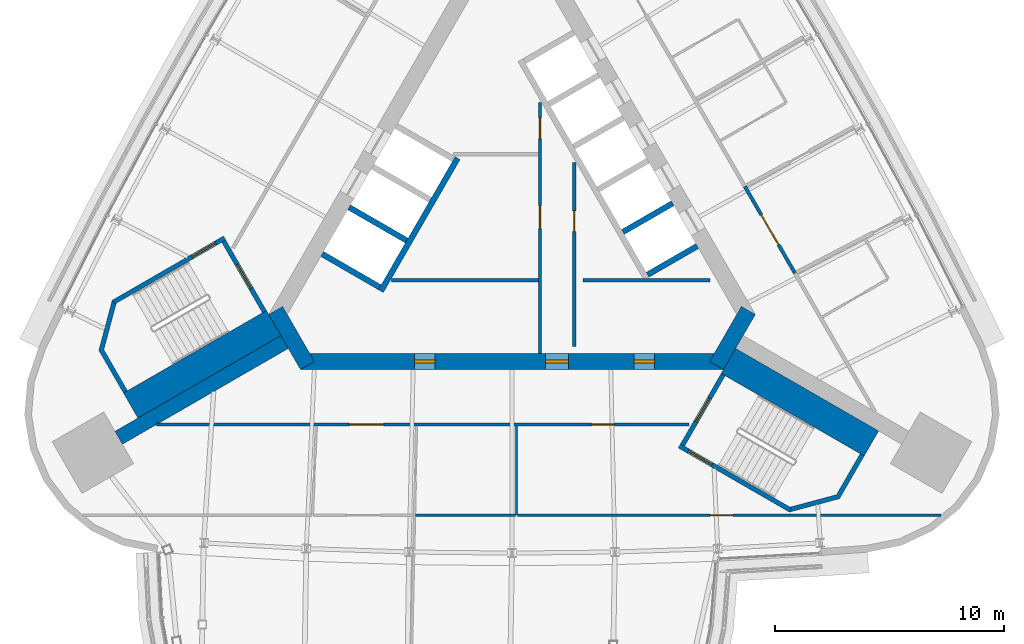
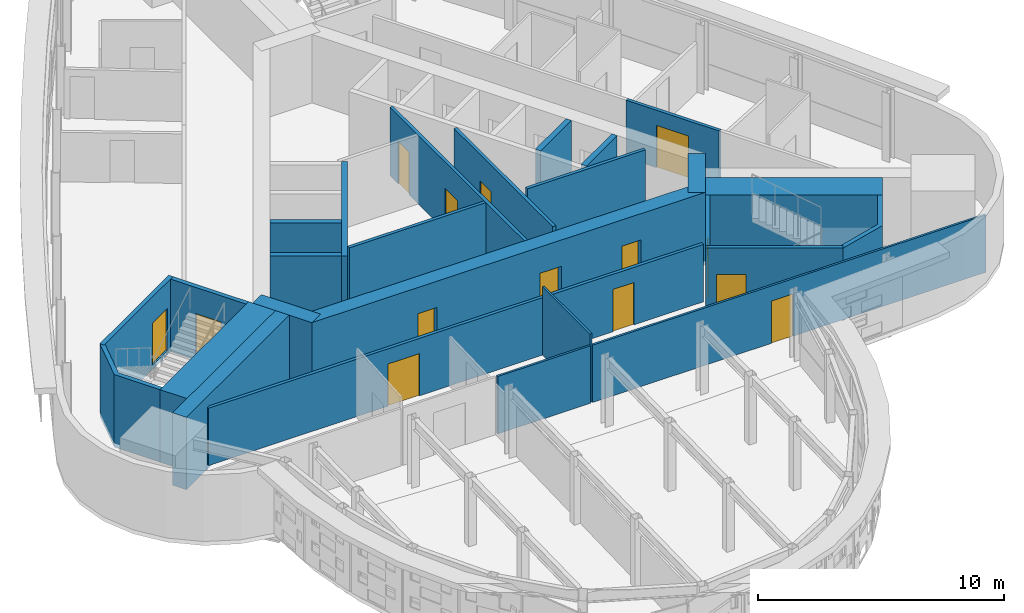
# One storey, part 10 of 15: 26 walls, 14 doors, 14 openings.
"""IFC4 building model written with IfcOpenShell, lengths in metres."""

from ifc_helpers import new_model, si_unit, direction, frame, frame_2d, origin, place, context, subcontext, project, spatial, polyline, rectangle, outline, extrude, material, layer, layer_set, type_object, element, fill, save


model = new_model("IFC4")

# Units and contexts
model_context = context("Model", 3, precision=1e-05, world=origin(), true_north=direction((0.0, 1.0)))
body_context = subcontext(model_context, "Body", "Model", "MODEL_VIEW")
ifc_project = project(units=[si_unit("LENGTHUNIT", "METRE"), si_unit("AREAUNIT", "SQUARE_METRE"), si_unit("VOLUMEUNIT", "CUBIC_METRE"), si_unit("PLANEANGLEUNIT", "RADIAN"), si_unit("MASSUNIT", "GRAM", prefix="KILO")], contexts=[model_context])

# Site, building, storey
site_placement = place(None, origin())
site = spatial("IfcSite", under=ifc_project, at=site_placement, CompositionType="ELEMENT")
building_placement = place(site_placement, origin())
building = spatial("IfcBuilding", under=site, at=building_placement, Name="Noor Cloister Tower", CompositionType="ELEMENT")
storey_placement = place(building_placement, frame((0.0, 0.0, 225.60009765625)))
storey = spatial("IfcBuildingStorey", under=building, at=storey_placement, Name="L58", CompositionType="ELEMENT", Elevation=225.60009765625)

# Walls
ifc_material_1 = material(Name="Concrete C60/75", Category="concrete")
ifc_layer_1 = layer(ifc_material_1, 0.64990234375)
ifc_layer_set_1 = layer_set([ifc_layer_1], Name="Buttress wall 650 C60/75")
wall_type_1 = type_object("IfcWallType", Name="Buttress wall 650 C60/75", PredefinedType="SHEAR", material=ifc_layer_set_1)
wall_1_placement = place(storey_placement, frame((-9.921630859375, -5.728271484375, -0.2001953125), z_axis=(0.0, 0.0, 1.0), x_axis=(-0.866030911543, -0.499990460161, 0.0)))
element("IfcWall", 1, at=wall_1_placement, inside=storey, type_object=wall_type_1, Name="Buttress wall SW L58", PredefinedType="SHEAR", context=body_context, shape_type="SweptSolid", body=[
    extrude(rectangle(XDim=8.358642578125, YDim=0.64990234375, at=frame_2d((4.17919921875, 0.0))), origin(), (0.0, 0.0, 1.0), 3.60009765625),
])
ifc_material_2 = material(Name="Concrete C30/37", Category="concrete")
ifc_layer_2 = layer(ifc_material_2, 0.14990234375)
ifc_layer_set_2 = layer_set([ifc_layer_2], Name="Core partition 150 C30/37")
wall_type_2 = type_object("IfcWallType", Name="Core partition 150 C30/37", PredefinedType="PARTITIONING", material=ifc_layer_set_2)
wall_2_placement = place(storey_placement, frame((-5.2578125, -3.0283203125, 0.0), z_axis=(0.0, 0.0, 1.0), x_axis=(1.0, 0.0, 0.0)))
element("IfcWall", 2, at=wall_2_placement, inside=storey, type_object=wall_type_2, Name="Core room partition L58 1", PredefinedType="PARTITIONING", context=body_context, shape_type="SweptSolid", body=[
    extrude(rectangle(XDim=6.404052734375, YDim=0.14990234375, at=frame_2d((3.2021484375, 0.0))), origin(), (0.0, 0.0, 1.0), 3.39990234375),
])

# Wall, openings, doors
wall_3_placement = place(storey_placement, frame((1.22119140625, 4.711181640625, 0.0), z_axis=(0.0, 0.0, 1.0), x_axis=(0.0, -1.0, 0.0)))
wall_3 = element("IfcWall", 3, at=wall_3_placement, inside=storey, type_object=wall_type_2, Name="Core room partition L58 3", PredefinedType="PARTITIONING", context=body_context, shape_type="SweptSolid", body=[
    extrude(rectangle(XDim=10.939453125, YDim=0.14990234375, at=frame_2d((5.4697265625, 0.0))), origin(), (0.0, 0.0, 1.0), 3.39990234375),
])
opening_1_placement = place(wall_3_placement, frame((4.4892578125, 0.0, 0.0)))
opening_1 = element("IfcOpeningElement", 4, at=opening_1_placement, cuts=wall_3, Name="Opening L58-904", PredefinedType="OPENING", context=body_context, shape_type="SweptSolid", body=[
    extrude(rectangle(XDim=1.0, YDim=2.10009765625, at=frame_2d((0.5, 1.050048828125))), frame((0.0, 0.0849609375, 0.0), z_axis=(0.0, -1.0, 0.0), x_axis=(1.0, 0.0, 0.0)), (0.0, 0.0, 1.0), 0.169921875),
])
opening_2_placement = place(wall_3_placement, frame((0.670654296875, 0.0, 0.0)))
opening_2 = element("IfcOpeningElement", 5, at=opening_2_placement, cuts=wall_3, Name="Opening L58-906", PredefinedType="OPENING", context=body_context, shape_type="SweptSolid", body=[
    extrude(rectangle(XDim=0.89990234375, YDim=2.10009765625, at=frame_2d((0.449951171875, 1.050048828125))), frame((0.0, 0.0849609375, 0.0), z_axis=(0.0, -1.0, 0.0), x_axis=(1.0, 0.0, 0.0)), (0.0, 0.0, 1.0), 0.169921875),
])
ifc_material_3 = material(Name="Steel", Category="steel")
door_type_1 = type_object("IfcDoorType", Name="Core door 1000 x 2100 FD60", OperationType="SINGLE_SWING_LEFT", PredefinedType="DOOR", material=ifc_material_3)
door_1_placement = place(opening_1_placement, origin())
door_1 = element("IfcDoor", 6, at=door_1_placement, inside=storey, type_object=door_type_1, Name="Core door 4 L58", OperationType="SINGLE_SWING_RIGHT", OverallHeight=2.10009765625, OverallWidth=1.0, PredefinedType="DOOR", context=body_context, shape_type="SweptSolid", body=[
    extrude(rectangle(XDim=1.0, YDim=2.10009765625, at=frame_2d((0.5, 1.050048828125))), frame((0.0, 0.02490234375, 0.0), z_axis=(0.0, -1.0, 0.0), x_axis=(1.0, 0.0, 0.0)), (0.0, 0.0, 1.0), 0.050048828125),
])
fill(opening_1, door_1)
ifc_material_4 = material(Name="Steel", Category="steel")
door_type_2 = type_object("IfcDoorType", Name="Core door 900 x 2100 FD120", OperationType="SINGLE_SWING_LEFT", PredefinedType="DOOR", material=ifc_material_4)
door_2_placement = place(opening_2_placement, origin())
door_2 = element("IfcDoor", 7, at=door_2_placement, inside=storey, type_object=door_type_2, Name="Core door 6 L58", OperationType="SINGLE_SWING_RIGHT", OverallHeight=2.10009765625, OverallWidth=0.89990234375, PredefinedType="DOOR", context=body_context, shape_type="SweptSolid", body=[
    extrude(rectangle(XDim=0.89990234375, YDim=2.10009765625, at=frame_2d((0.449951171875, 1.050048828125))), frame((0.0, 0.02490234375, 0.0), z_axis=(0.0, -1.0, 0.0), x_axis=(1.0, 0.0, 0.0)), (0.0, 0.0, 1.0), 0.050048828125),
])
fill(opening_2, door_2)

# Wall, opening, door
wall_4_placement = place(storey_placement, frame((2.72119140625, -5.92822265625, 0.0), z_axis=(0.0, 0.0, 1.0), x_axis=(0.0, 1.0, 0.0)))
wall_4 = element("IfcWall", 8, at=wall_4_placement, inside=storey, type_object=wall_type_2, Name="Core room partition L58 4", PredefinedType="PARTITIONING", context=body_context, shape_type="SweptSolid", body=[
    extrude(rectangle(XDim=8.041259765625, YDim=0.14990234375, at=frame_2d((4.0205078125, 0.0))), origin(), (0.0, 0.0, 1.0), 3.39990234375),
])
opening_3_placement = place(wall_4_placement, frame((5.01953125, 0.0, 0.0)))
opening_3 = element("IfcOpeningElement", 9, at=opening_3_placement, cuts=wall_4, Name="Opening L58-905", PredefinedType="OPENING", context=body_context, shape_type="SweptSolid", body=[
    extrude(rectangle(XDim=0.89990234375, YDim=2.10009765625, at=frame_2d((0.449951171875, 1.050048828125))), frame((0.0, 0.0849609375, 0.0), z_axis=(0.0, -1.0, 0.0), x_axis=(1.0, 0.0, 0.0)), (0.0, 0.0, 1.0), 0.169921875),
])
ifc_material_5 = material(Name="Steel", Category="steel")
door_type_3 = type_object("IfcDoorType", Name="Core door 900 x 2100 FD60", OperationType="SINGLE_SWING_LEFT", PredefinedType="DOOR", material=ifc_material_5)
door_3_placement = place(opening_3_placement, origin())
door_3 = element("IfcDoor", 10, at=door_3_placement, inside=storey, type_object=door_type_3, Name="Core door 5 L58", OperationType="SINGLE_SWING_LEFT", OverallHeight=2.10009765625, OverallWidth=0.89990234375, PredefinedType="DOOR", context=body_context, shape_type="SweptSolid", body=[
    extrude(rectangle(XDim=0.89990234375, YDim=2.10009765625, at=frame_2d((0.449951171875, 1.050048828125))), frame((0.0, 0.02490234375, 0.0), z_axis=(0.0, -1.0, 0.0), x_axis=(1.0, 0.0, 0.0)), (0.0, 0.0, 1.0), 0.050048828125),
])
fill(opening_3, door_3)

# Wall
wall_5_placement = place(storey_placement, frame((3.09619140625, -3.0283203125, 0.0), z_axis=(0.0, 0.0, 1.0), x_axis=(1.0, 0.0, 0.0)))
element("IfcWall", 11, at=wall_5_placement, inside=storey, type_object=wall_type_2, Name="Core room partition L58 5", PredefinedType="PARTITIONING", context=body_context, shape_type="SweptSolid", body=[
    extrude(rectangle(XDim=5.543701171875, YDim=0.14990234375, at=frame_2d((2.77197265625, 0.0))), origin(), (0.0, 0.0, 1.0), 3.39990234375),
])

# Wall, openings, doors
ifc_material_6 = material(Name="Concrete C60/75", Category="concrete")
ifc_layer_3 = layer(ifc_material_6, 0.699951171875)
ifc_layer_set_3 = layer_set([ifc_layer_3], Name="Core wall 700 C60/75")
wall_type_3 = type_object("IfcWallType", Name="Core wall 700 C60/75", PredefinedType="SHEAR", material=ifc_layer_set_3)
wall_6_placement = place(storey_placement, frame((-9.228759765625, -6.578125, -0.2001953125), z_axis=(0.0, 0.0, 1.0), x_axis=(1.0, 0.0, 0.0)))
wall_6 = element("IfcWall", 12, at=wall_6_placement, inside=storey, type_object=wall_type_3, Name="Core wall L58 1", PredefinedType="SHEAR", context=body_context, shape_type="SweptSolid", body=[
    extrude(rectangle(XDim=18.45751953125, YDim=0.699951171875, at=frame_2d((9.228759765625, 0.0))), origin(), (0.0, 0.0, 1.0), 3.60009765625),
])
opening_4_placement = place(wall_6_placement, frame((10.699951171875, 0.0, 0.199951171875)))
opening_4 = element("IfcOpeningElement", 13, at=opening_4_placement, cuts=wall_6, Name="Opening L58-901", PredefinedType="OPENING", context=body_context, shape_type="SweptSolid", body=[
    extrude(rectangle(XDim=1.0, YDim=2.10009765625, at=frame_2d((0.5, 1.050048828125))), frame((0.0, 0.35986328125, 0.0), z_axis=(0.0, -1.0, 0.0), x_axis=(1.0, 0.0, 0.0)), (0.0, 0.0, 1.0), 0.719970703125),
])
opening_5_placement = place(wall_6_placement, frame((4.97705078125, 0.0, 0.199951171875)))
opening_5 = element("IfcOpeningElement", 14, at=opening_5_placement, cuts=wall_6, Name="Opening L58-902", PredefinedType="OPENING", context=body_context, shape_type="SweptSolid", body=[
    extrude(rectangle(XDim=0.89990234375, YDim=2.10009765625, at=frame_2d((0.449951171875, 1.050048828125))), frame((0.0, 0.35986328125, 0.0), z_axis=(0.0, -1.0, 0.0), x_axis=(1.0, 0.0, 0.0)), (0.0, 0.0, 1.0), 0.719970703125),
])
opening_6_placement = place(wall_6_placement, frame((14.551513671875, 0.0, 0.199951171875)))
opening_6 = element("IfcOpeningElement", 15, at=opening_6_placement, cuts=wall_6, Name="Opening L58-903", PredefinedType="OPENING", context=body_context, shape_type="SweptSolid", body=[
    extrude(rectangle(XDim=0.89990234375, YDim=2.10009765625, at=frame_2d((0.449951171875, 1.050048828125))), frame((0.0, 0.35986328125, 0.0), z_axis=(0.0, -1.0, 0.0), x_axis=(1.0, 0.0, 0.0)), (0.0, 0.0, 1.0), 0.719970703125),
])
ifc_material_7 = material(Name="Steel", Category="steel")
door_type_4 = type_object("IfcDoorType", Name="Core door 1000 x 2100 FD120", OperationType="SINGLE_SWING_LEFT", PredefinedType="DOOR", material=ifc_material_7)
door_4_placement = place(opening_4_placement, origin())
door_4 = element("IfcDoor", 16, at=door_4_placement, inside=storey, type_object=door_type_4, Name="Core door 1 L58", OperationType="SINGLE_SWING_LEFT", OverallHeight=2.10009765625, OverallWidth=1.0, PredefinedType="DOOR", context=body_context, shape_type="SweptSolid", body=[
    extrude(rectangle(XDim=1.0, YDim=2.10009765625, at=frame_2d((0.5, 1.050048828125))), frame((0.0, 0.074951171875, 0.0), z_axis=(0.0, -1.0, 0.0), x_axis=(1.0, 0.0, 0.0)), (0.0, 0.0, 1.0), 0.14990234375),
])
fill(opening_4, door_4)
door_5_placement = place(opening_5_placement, origin())
door_5 = element("IfcDoor", 17, at=door_5_placement, inside=storey, type_object=door_type_2, Name="Core door 2 L58", OperationType="SINGLE_SWING_RIGHT", OverallHeight=2.10009765625, OverallWidth=0.89990234375, PredefinedType="DOOR", context=body_context, shape_type="SweptSolid", body=[
    extrude(rectangle(XDim=0.89990234375, YDim=2.10009765625, at=frame_2d((0.449951171875, 1.050048828125))), frame((0.0, 0.074951171875, 0.0), z_axis=(0.0, -1.0, 0.0), x_axis=(1.0, 0.0, 0.0)), (0.0, 0.0, 1.0), 0.14990234375),
])
fill(opening_5, door_5)
door_6_placement = place(opening_6_placement, origin())
door_6 = element("IfcDoor", 18, at=door_6_placement, inside=storey, type_object=door_type_2, Name="Core door 3 L58", OperationType="SINGLE_SWING_LEFT", OverallHeight=2.10009765625, OverallWidth=0.89990234375, PredefinedType="DOOR", context=body_context, shape_type="SweptSolid", body=[
    extrude(rectangle(XDim=0.89990234375, YDim=2.10009765625, at=frame_2d((0.449951171875, 1.050048828125))), frame((0.0, 0.074951171875, 0.0), z_axis=(0.0, -1.0, 0.0), x_axis=(1.0, 0.0, 0.0)), (0.0, 0.0, 1.0), 0.14990234375),
])
fill(opening_6, door_6)

# Walls
for number, where, z_axis, x_axis, name in (
    (19, (8.925537109375, -6.753173828125, -0.2001953125), (0.0, 0.0, 1.0), (0.500042739161, 0.866000726912, 0.0), "Core wall L58 2"),
    (20, (-10.311279296875, -4.353271484375, -0.2001953125), (0.0, 0.0, 1.0), (0.500042739161, -0.866000726912, 0.0), "Core wall L58 6"),
):
    element("IfcWall", number, at=place(storey_placement, frame(where, z_axis=z_axis, x_axis=x_axis)), inside=storey, type_object=wall_type_3, Name=name, PredefinedType="SHEAR", context=body_context, shape_type="SweptSolid", body=[
        extrude(rectangle(XDim=2.771240234375, YDim=0.699951171875, at=frame_2d((1.3857421875, 0.0))), origin(), (0.0, 0.0, 1.0), 3.60009765625),
    ])

# Wall, opening, door
ifc_material_8 = material(Name="Gypsum board partition on steel studs, 150 mm", Category="steel")
ifc_layer_4 = layer(ifc_material_8, 0.14990234375)
ifc_layer_set_4 = layer_set([ifc_layer_4], Name="Flat wall 150")
wall_type_4 = type_object("IfcWallType", Name="Flat wall 150", PredefinedType="PARTITIONING", material=ifc_layer_set_4)
wall_7_placement = place(storey_placement, frame((12.3447265625, -2.725341796875, 0.0), z_axis=(0.0, 0.0, 1.0), x_axis=(-0.49999822179, 0.866026430432, 0.0)))
wall_7 = element("IfcWall", 21, at=wall_7_placement, inside=storey, type_object=wall_type_4, Name="Wall L58-W05", PredefinedType="PARTITIONING", context=body_context, shape_type="SweptSolid", body=[
    extrude(rectangle(XDim=4.3681640625, YDim=0.14990234375, at=frame_2d((2.18408203125, 0.0))), origin(), (0.0, 0.0, 1.0), 2.851806640625),
])
opening_7_placement = place(wall_7_placement, frame((1.434326171875, 0.0, 0.0)))
opening_7 = element("IfcOpeningElement", 22, at=opening_7_placement, cuts=wall_7, Name="Opening L58-001", PredefinedType="OPENING", context=body_context, shape_type="SweptSolid", body=[
    extrude(rectangle(XDim=1.5, YDim=2.10009765625, at=frame_2d((0.75, 1.050048828125))), frame((0.0, 0.0849609375, 0.0), z_axis=(0.0, -1.0, 0.0), x_axis=(1.0, 0.0, 0.0)), (0.0, 0.0, 1.0), 0.169921875),
])
ifc_material_9 = material(Name="Timber door leaf with steel frame", Category="steel")
door_type_5 = type_object("IfcDoorType", Name="Double door 1500 FD60", OperationType="NOTDEFINED", PredefinedType="DOOR", material=ifc_material_9)
door_7_placement = place(opening_7_placement, origin())
door_7 = element("IfcDoor", 23, at=door_7_placement, inside=storey, type_object=door_type_5, Name="Door L58-001", OperationType="DOUBLE_DOOR_SINGLE_SWING", OverallHeight=2.10009765625, OverallWidth=1.5, PredefinedType="DOOR", context=body_context, shape_type="SweptSolid", body=[
    extrude(rectangle(XDim=1.5, YDim=2.10009765625, at=frame_2d((0.75, 1.050048828125))), frame((0.0, 0.02490234375, 0.0), z_axis=(0.0, -1.0, 0.0), x_axis=(1.0, 0.0, 0.0)), (0.0, 0.0, 1.0), 0.050048828125),
])
fill(opening_7, door_7)

# Wall, openings, doors
wall_8_placement = place(storey_placement, frame((-15.5068359375, -9.328125, 0.0), z_axis=(0.0, 0.0, 1.0), x_axis=(1.0, 0.0, 0.0)))
wall_8 = element("IfcWall", 24, at=wall_8_placement, inside=storey, type_object=wall_type_4, Name="Wall L58-W13", PredefinedType="PARTITIONING", context=body_context, shape_type="SweptSolid", body=[
    extrude(rectangle(XDim=23.234375, YDim=0.14990234375, at=frame_2d((11.6171875, 0.0))), origin(), (0.0, 0.0, 1.0), 2.851806640625),
])
opening_8_placement = place(wall_8_placement, frame((8.408447265625, 0.0, 0.0)))
opening_8 = element("IfcOpeningElement", 25, at=opening_8_placement, cuts=wall_8, Name="Opening L58-008", PredefinedType="OPENING", context=body_context, shape_type="SweptSolid", body=[
    extrude(rectangle(XDim=1.5, YDim=2.10009765625, at=frame_2d((0.75, 1.050048828125))), frame((0.0, 0.0849609375, 0.0), z_axis=(0.0, -1.0, 0.0), x_axis=(1.0, 0.0, 0.0)), (0.0, 0.0, 1.0), 0.169921875),
])
opening_9_placement = place(wall_8_placement, frame((18.970703125, 0.0, 0.0)))
opening_9 = element("IfcOpeningElement", 26, at=opening_9_placement, cuts=wall_8, Name="Opening L58-012", PredefinedType="OPENING", context=body_context, shape_type="SweptSolid", body=[
    extrude(rectangle(XDim=1.0, YDim=2.10009765625, at=frame_2d((0.5, 1.050048828125))), frame((0.0, 0.0849609375, 0.0), z_axis=(0.0, -1.0, 0.0), x_axis=(1.0, 0.0, 0.0)), (0.0, 0.0, 1.0), 0.169921875),
])
door_8_placement = place(opening_8_placement, origin())
door_8 = element("IfcDoor", 27, at=door_8_placement, inside=storey, type_object=door_type_5, Name="Door L58-008", OperationType="DOUBLE_DOOR_SINGLE_SWING", OverallHeight=2.10009765625, OverallWidth=1.5, PredefinedType="DOOR", context=body_context, shape_type="SweptSolid", body=[
    extrude(rectangle(XDim=1.5, YDim=2.10009765625, at=frame_2d((0.75, 1.050048828125))), frame((0.0, 0.02490234375, 0.0), z_axis=(0.0, -1.0, 0.0), x_axis=(1.0, 0.0, 0.0)), (0.0, 0.0, 1.0), 0.050048828125),
])
fill(opening_8, door_8)
ifc_material_10 = material(Name="Timber door leaf with steel frame", Category="steel")
door_type_6 = type_object("IfcDoorType", Name="Interior door 1000 FD60", OperationType="NOTDEFINED", PredefinedType="DOOR", material=ifc_material_10)
door_9_placement = place(opening_9_placement, origin())
door_9 = element("IfcDoor", 28, at=door_9_placement, inside=storey, type_object=door_type_6, Name="Door L58-012", OperationType="SINGLE_SWING_RIGHT", OverallHeight=2.10009765625, OverallWidth=1.0, PredefinedType="DOOR", context=body_context, shape_type="SweptSolid", body=[
    extrude(rectangle(XDim=1.0, YDim=2.10009765625, at=frame_2d((0.5, 1.050048828125))), frame((0.0, 0.02490234375, 0.0), z_axis=(0.0, -1.0, 0.0), x_axis=(1.0, 0.0, 0.0)), (0.0, 0.0, 1.0), 0.050048828125),
])
fill(opening_9, door_9)

# Walls
ifc_material_11 = material(Name="Gypsum board partition on steel studs, 100 mm", Category="steel")
ifc_layer_5 = layer(ifc_material_11, 0.10009765625)
ifc_layer_set_5 = layer_set([ifc_layer_5], Name="Partition 100")
wall_type_5 = type_object("IfcWallType", Name="Partition 100", PredefinedType="PARTITIONING", material=ifc_layer_set_5)
wall_9_placement = place(storey_placement, frame((0.199951171875, -9.4033203125, 0.0), z_axis=(0.0, 0.0, 1.0), x_axis=(0.0, -1.0, 0.0)))
element("IfcWall", 29, at=wall_9_placement, inside=storey, type_object=wall_type_5, Name="Wall L58-W16", PredefinedType="PARTITIONING", context=body_context, shape_type="SweptSolid", body=[
    extrude(rectangle(XDim=3.879150390625, YDim=0.10009765625, at=frame_2d((1.939453125, 0.0))), origin(), (0.0, 0.0, 1.0), 3.39990234375),
])
wall_10_placement = place(storey_placement, frame((-4.201904296875, -13.282470703125, 0.0), z_axis=(0.0, 0.0, 1.0), x_axis=(1.0, 0.0, 0.0)))
element("IfcWall", 30, at=wall_10_placement, inside=storey, type_object=wall_type_5, Name="Wall L58-W19", PredefinedType="PARTITIONING", context=body_context, shape_type="SweptSolid", body=[
    extrude(rectangle(XDim=4.351806640625, YDim=0.10009765625, at=frame_2d((2.17578125, 0.0))), origin(), (0.0, 0.0, 1.0), 2.851806640625),
])

# Wall, opening, door
wall_11_placement = place(storey_placement, frame((0.25, -13.282470703125, 0.0), z_axis=(0.0, 0.0, 1.0), x_axis=(1.0, 0.0, 0.0)))
wall_11 = element("IfcWall", 31, at=wall_11_placement, inside=storey, type_object=wall_type_5, Name="Wall L58-W20", PredefinedType="PARTITIONING", context=body_context, shape_type="SweptSolid", body=[
    extrude(rectangle(XDim=18.458740234375, YDim=0.10009765625, at=frame_2d((9.2294921875, 0.0))), origin(), (0.0, 0.0, 1.0), 2.851806640625),
])
opening_10_placement = place(wall_11_placement, frame((8.387451171875, 0.0, 0.0)))
opening_10 = element("IfcOpeningElement", 32, at=opening_10_placement, cuts=wall_11, Name="Opening L58-013", PredefinedType="OPENING", context=body_context, shape_type="SweptSolid", body=[
    extrude(rectangle(XDim=1.0, YDim=2.10009765625, at=frame_2d((0.5, 1.050048828125))), frame((0.0, 0.06005859375, 0.0), z_axis=(0.0, -1.0, 0.0), x_axis=(1.0, 0.0, 0.0)), (0.0, 0.0, 1.0), 0.1201171875),
])
ifc_material_12 = material(Name="Timber door leaf with steel frame", Category="steel")
door_type_7 = type_object("IfcDoorType", Name="Interior door 1000", OperationType="NOTDEFINED", PredefinedType="DOOR", material=ifc_material_12)
door_10_placement = place(opening_10_placement, origin())
door_10 = element("IfcDoor", 33, at=door_10_placement, inside=storey, type_object=door_type_7, Name="Door L58-013", OperationType="SINGLE_SWING_LEFT", OverallHeight=2.10009765625, OverallWidth=1.0, PredefinedType="DOOR", context=body_context, shape_type="SweptSolid", body=[
    extrude(rectangle(XDim=1.0, YDim=2.10009765625, at=frame_2d((0.5, 1.050048828125))), frame((0.0, 0.02490234375, 0.0), z_axis=(0.0, -1.0, 0.0), x_axis=(1.0, 0.0, 0.0)), (0.0, 0.0, 1.0), 0.050048828125),
])
fill(opening_10, door_10)

# Walls
ifc_material_13 = material(Name="Concrete C60/75", Category="concrete")
ifc_layer_6 = layer(ifc_material_13, 0.25)
ifc_layer_set_6 = layer_set([ifc_layer_6], Name="Shaft wall 250 C60/75")
wall_type_6 = type_object("IfcWallType", Name="Shaft wall 250 C60/75", PredefinedType="PARTITIONING", material=ifc_layer_set_6)
for number, where, z_axis, x_axis, name in (
    (34, (8.081298828125, -1.540771484375, -0.2001953125), (0.0, 0.0, 1.0), (-0.866022959057, -0.500004234368, 0.0), "Lift shaft wall L58 NE 1"),
    (35, (7.00634765625, 0.3212890625, -0.2001953125), (0.0, 0.0, 1.0), (-0.866022959057, -0.500004234368, 0.0), "Lift shaft wall L58 NE 2"),
):
    element("IfcWall", number, at=place(storey_placement, frame(where, z_axis=z_axis, x_axis=x_axis)), inside=storey, type_object=wall_type_6, Name=name, PredefinedType="PARTITIONING", context=body_context, shape_type="SweptSolid", body=[
        extrude(rectangle(XDim=2.5, YDim=0.25, at=frame_2d((1.25, 0.0))), origin(), (0.0, 0.0, 1.0), 3.60009765625),
    ])
for number, where, z_axis, x_axis, name in (
    (36, (-7.106201171875, 0.14794921875, -0.2001953125), (0.0, 0.0, 1.0), (0.866032775405, -0.499987231761, 0.0), "Lift shaft wall L58 NW 5"),
    (37, (-8.28125, -1.88720703125, -0.2001953125), (0.0, 0.0, 1.0), (0.866032775405, -0.499987231761, 0.0), "Lift shaft wall L58 NW 6"),
):
    element("IfcWall", number, at=place(storey_placement, frame(where, z_axis=z_axis, x_axis=x_axis)), inside=storey, type_object=wall_type_6, Name=name, PredefinedType="PARTITIONING", context=body_context, shape_type="SweptSolid", body=[
        extrude(rectangle(XDim=2.89990234375, YDim=0.25, at=frame_2d((1.449951171875, 0.0))), origin(), (0.0, 0.0, 1.0), 3.60009765625),
    ])
wall_12_placement = place(storey_placement, frame((-2.3740234375, 2.29443359375, 0.0), z_axis=(0.0, 0.0, 1.0), x_axis=(-0.500003174267, -0.866023571113, 0.0)))
element("IfcWall", 38, at=wall_12_placement, inside=storey, type_object=wall_type_6, Name="Lift shaft back wall L58 NW", PredefinedType="PARTITIONING", context=body_context, shape_type="SweptSolid", body=[
    extrude(rectangle(XDim=6.7001953125, YDim=0.25, at=frame_2d((3.35009765625, 0.0))), origin(), (0.0, 0.0, 1.0), 3.39990234375),
])
ifc_material_14 = material(Name="Concrete C60/75", Category="concrete")
ifc_layer_7 = layer(ifc_material_14, 1.260986328125)
ifc_layer_set_7 = layer_set([ifc_layer_7], Name="Stair enclosure wall 1261 C60/75")
wall_type_7 = type_object("IfcWallType", Name="Stair enclosure wall 1261 C60/75", PredefinedType="SHEAR", material=ifc_layer_set_7)
for number, where, z_axis, x_axis, name in (
    (39, (-10.399169921875, -4.90087890625, -0.2001953125), (0.0, 0.0, 1.0), (-0.866018442252, -0.500012057535, 0.0), "Stair enclosure wall ST2 L58 riser side"),
    (40, (9.44384765625, -6.555419921875, -0.2001953125), (0.0, 0.0, 1.0), (0.866018442252, -0.500012057535, 0.0), "Stair enclosure wall ST3 L58 riser side"),
):
    element("IfcWall", number, at=place(storey_placement, frame(where, z_axis=z_axis, x_axis=x_axis)), inside=storey, type_object=wall_type_7, Name=name, PredefinedType="SHEAR", context=body_context, shape_type="SweptSolid", body=[
        extrude(rectangle(XDim=7.199951171875, YDim=1.2607421875, at=frame_2d((3.60009765625, 0.0))), origin(), (0.0, 0.0, 1.0), 3.60009765625),
    ])

# Wall, opening, door
ifc_material_15 = material(Name="Concrete C60/75", Category="concrete")
ifc_layer_8 = layer(ifc_material_15, 0.199951171875)
ifc_layer_set_8 = layer_set([ifc_layer_8], Name="Stair enclosure wall 200 C60/75")
wall_type_8 = type_object("IfcWallType", Name="Stair enclosure wall 200 C60/75", PredefinedType="SHEAR", material=ifc_layer_set_8)
wall_13_placement = place(storey_placement, frame((-12.575927734375, -1.33056640625, -0.2001953125), z_axis=(0.0, 0.0, 1.0), x_axis=(0.499970499736, -0.8660424351, 0.0)))
wall_13 = element("IfcWall", 41, at=wall_13_placement, inside=storey, type_object=wall_type_8, Name="Stair enclosure wall ST2 L58 near end", PredefinedType="SHEAR", context=body_context, shape_type="SweptSolid", body=[
    extrude(rectangle(XDim=3.550048828125, YDim=0.199951171875, at=frame_2d((1.77490234375, 0.0))), origin(), (0.0, 0.0, 1.0), 3.60009765625),
])
opening_11_placement = place(wall_13_placement, frame((1.175048828125, 0.0, 0.199951171875)))
opening_11 = element("IfcOpeningElement", 42, at=opening_11_placement, cuts=wall_13, Name="Opening L58-ST2L", PredefinedType="OPENING", context=body_context, shape_type="SweptSolid", body=[
    extrude(rectangle(XDim=1.199951171875, YDim=2.10009765625, at=frame_2d((0.60009765625, 1.050048828125))), frame((0.0, 0.10986328125, 0.0), z_axis=(0.0, -1.0, 0.0), x_axis=(1.0, 0.0, 0.0)), (0.0, 0.0, 1.0), 0.219970703125),
])
ifc_material_16 = material(Name="Steel", Category="steel")
door_type_8 = type_object("IfcDoorType", Name="Stair door 1200 x 2100 FD120", OperationType="SINGLE_SWING_LEFT", PredefinedType="DOOR", material=ifc_material_16)
door_11_placement = place(opening_11_placement, origin())
door_11 = element("IfcDoor", 43, at=door_11_placement, inside=storey, type_object=door_type_8, Name="Stair door ST2 L58", OperationType="SINGLE_SWING_RIGHT", OverallHeight=2.10009765625, OverallWidth=1.199951171875, PredefinedType="DOOR", context=body_context, shape_type="SweptSolid", body=[
    extrude(rectangle(XDim=1.199951171875, YDim=2.10009765625, at=frame_2d((0.60009765625, 1.050048828125))), frame((0.0, 0.02490234375, 0.0), z_axis=(0.0, -1.0, 0.0), x_axis=(1.0, 0.0, 0.0)), (0.0, 0.0, 1.0), 0.050048828125),
])
fill(opening_11, door_11)

wall_14_placement = place(storey_placement, frame((-12.539306640625, -1.194091796875, -0.2001953125), z_axis=(0.0, 0.0, 1.0), x_axis=(-0.866045472092, -0.499965239061, 0.0)))
wall_14 = element("IfcWall", 44, at=wall_14_placement, inside=storey, type_object=wall_type_8, Name="Stair enclosure wall ST2 L58 outer side", PredefinedType="SHEAR", context=body_context, shape_type="SweptSolid", body=[
    extrude(rectangle(XDim=5.60009765625, YDim=0.199951171875, at=frame_2d((2.800048828125, 0.0))), origin(), (0.0, 0.0, 1.0), 3.60009765625),
])
opening_12_placement = place(wall_14_placement, frame((0.449951171875, 0.0, 0.199951171875)))
opening_12 = element("IfcOpeningElement", 45, at=opening_12_placement, cuts=wall_14, Name="Opening L58-ST2C", PredefinedType="OPENING", context=body_context, shape_type="SweptSolid", body=[
    extrude(rectangle(XDim=1.199951171875, YDim=2.10009765625, at=frame_2d((0.60009765625, 1.050048828125))), frame((0.0, 0.10986328125, 0.0), z_axis=(0.0, -1.0, 0.0), x_axis=(1.0, 0.0, 0.0)), (0.0, 0.0, 1.0), 0.219970703125),
])
door_12_placement = place(opening_12_placement, origin())
door_12 = element("IfcDoor", 46, at=door_12_placement, inside=storey, type_object=door_type_8, Name="Stair door ST2 L58", OperationType="SINGLE_SWING_LEFT", OverallHeight=2.10009765625, OverallWidth=1.199951171875, PredefinedType="DOOR", context=body_context, shape_type="SweptSolid", body=[
    extrude(rectangle(XDim=1.199951171875, YDim=2.10009765625, at=frame_2d((0.60009765625, 1.050048828125))), frame((0.0, 0.02490234375, 0.0), z_axis=(0.0, -1.0, 0.0), x_axis=(1.0, 0.0, 0.0)), (0.0, 0.0, 1.0), 0.050048828125),
])
fill(opening_12, door_12)

wall_15_placement = place(storey_placement, frame((7.440185546875, -10.225830078125, -0.2001953125), z_axis=(0.0, 0.0, 1.0), x_axis=(0.500022077904, 0.866012656725, 0.0)))
wall_15 = element("IfcWall", 47, at=wall_15_placement, inside=storey, type_object=wall_type_8, Name="Stair enclosure wall ST3 L58 near end", PredefinedType="SHEAR", context=body_context, shape_type="SweptSolid", body=[
    extrude(rectangle(XDim=3.550048828125, YDim=0.199951171875, at=frame_2d((1.77490234375, 0.0))), origin(), (0.0, 0.0, 1.0), 3.60009765625),
])
opening_13_placement = place(wall_15_placement, frame((1.175048828125, 0.0, 0.199951171875)))
opening_13 = element("IfcOpeningElement", 48, at=opening_13_placement, cuts=wall_15, Name="Opening L58-ST3L", PredefinedType="OPENING", context=body_context, shape_type="SweptSolid", body=[
    extrude(rectangle(XDim=1.199951171875, YDim=2.10009765625, at=frame_2d((0.60009765625, 1.050048828125))), frame((0.0, 0.10986328125, 0.0), z_axis=(0.0, -1.0, 0.0), x_axis=(1.0, 0.0, 0.0)), (0.0, 0.0, 1.0), 0.219970703125),
])
door_13_placement = place(opening_13_placement, origin())
door_13 = element("IfcDoor", 49, at=door_13_placement, inside=storey, type_object=door_type_8, Name="Stair door ST3 L58", OperationType="SINGLE_SWING_RIGHT", OverallHeight=2.10009765625, OverallWidth=1.199951171875, PredefinedType="DOOR", context=body_context, shape_type="SweptSolid", body=[
    extrude(rectangle(XDim=1.199951171875, YDim=2.10009765625, at=frame_2d((0.60009765625, 1.050048828125))), frame((0.0, 0.02490234375, 0.0), z_axis=(0.0, -1.0, 0.0), x_axis=(1.0, 0.0, 0.0)), (0.0, 0.0, 1.0), 0.050048828125),
])
fill(opening_13, door_13)

wall_16_placement = place(storey_placement, frame((7.3037109375, -10.262451171875, -0.2001953125), z_axis=(0.0, 0.0, 1.0), x_axis=(0.866026594901, -0.49999793692, 0.0)))
wall_16 = element("IfcWall", 50, at=wall_16_placement, inside=storey, type_object=wall_type_8, Name="Stair enclosure wall ST3 L58 outer side", PredefinedType="SHEAR", context=body_context, shape_type="SweptSolid", body=[
    extrude(rectangle(XDim=5.60009765625, YDim=0.199951171875, at=frame_2d((2.800048828125, 0.0))), origin(), (0.0, 0.0, 1.0), 3.60009765625),
])
opening_14_placement = place(wall_16_placement, frame((0.449951171875, 0.0, 0.199951171875)))
opening_14 = element("IfcOpeningElement", 51, at=opening_14_placement, cuts=wall_16, Name="Opening L58-ST3C", PredefinedType="OPENING", context=body_context, shape_type="SweptSolid", body=[
    extrude(rectangle(XDim=1.199951171875, YDim=2.10009765625, at=frame_2d((0.60009765625, 1.050048828125))), frame((0.0, 0.10986328125, 0.0), z_axis=(0.0, -1.0, 0.0), x_axis=(1.0, 0.0, 0.0)), (0.0, 0.0, 1.0), 0.219970703125),
])
door_14_placement = place(opening_14_placement, origin())
door_14 = element("IfcDoor", 52, at=door_14_placement, inside=storey, type_object=door_type_8, Name="Stair door ST3 L58", OperationType="SINGLE_SWING_LEFT", OverallHeight=2.10009765625, OverallWidth=1.199951171875, PredefinedType="DOOR", context=body_context, shape_type="SweptSolid", body=[
    extrude(rectangle(XDim=1.199951171875, YDim=2.10009765625, at=frame_2d((0.60009765625, 1.050048828125))), frame((0.0, 0.02490234375, 0.0), z_axis=(0.0, -1.0, 0.0), x_axis=(1.0, 0.0, 0.0)), (0.0, 0.0, 1.0), 0.050048828125),
])
fill(opening_14, door_14)

# Walls
ifc_material_17 = material(Name="Concrete C60/75", Category="concrete")
wall_type_9 = type_object("IfcWallType", Name="Stair far end wall C60/75", PredefinedType="SHEAR", material=ifc_material_17)
wall_17_placement = place(storey_placement, frame((0.0, 0.0, -0.2001953125)))
element("IfcWall", 53, at=wall_17_placement, inside=storey, type_object=wall_type_9, Name="Stair enclosure wall ST2 L58 far end", PredefinedType="SHEAR", context=body_context, shape_type="SweptSolid", body=[
    extrude(outline(polyline([(-17.439208984375, -3.907470703125), (-18.024658203125, -6.093017578125), (-16.94970703125, -7.955078125), (-16.776611328125, -7.85498046875), (-17.81005859375, -6.064697265625), (-17.267333984375, -4.039306640625), (-17.339111328125, -4.08056640625), (-17.339111328125, -4.08056640625), (-17.339111328125, -4.08056640625), (-17.339111328125, -4.08056640625), (-17.339111328125, -4.08056640625), (-17.339111328125, -4.08056640625), (-17.339111328125, -4.08056640625), (-17.339111328125, -4.08056640625), (-17.339111328125, -4.08056640625), (-17.339111328125, -4.08056640625), (-17.339111328125, -4.08056640625), (-17.339111328125, -4.08056640625), (-17.339111328125, -4.08056640625), (-17.339111328125, -4.08056640625), (-17.339111328125, -4.08056640625), (-17.339111328125, -4.08056640625), (-17.339111328125, -4.08056640625), (-17.439208984375, -3.907470703125)])), origin(), (0.0, 0.0, 1.0), 3.60009765625),
])
wall_18_placement = place(storey_placement, frame((0.0, 0.0, -0.2001953125)))
element("IfcWall", 54, at=wall_18_placement, inside=storey, type_object=wall_type_9, Name="Stair enclosure wall ST3 L58 far end", PredefinedType="SHEAR", context=body_context, shape_type="SweptSolid", body=[
    extrude(outline(polyline([(12.103515625, -13.14892578125), (14.2890625, -12.5634765625), (15.364013671875, -10.701416015625), (15.19091796875, -10.601318359375), (14.1572265625, -12.3916015625), (12.131591796875, -12.934326171875), (12.20361328125, -12.975830078125), (12.20361328125, -12.975830078125), (12.20361328125, -12.975830078125), (12.20361328125, -12.975830078125), (12.20361328125, -12.975830078125), (12.20361328125, -12.975830078125), (12.20361328125, -12.975830078125), (12.20361328125, -12.975830078125), (12.20361328125, -12.975830078125), (12.20361328125, -12.975830078125), (12.20361328125, -12.975830078125), (12.20361328125, -12.975830078125), (12.20361328125, -12.975830078125), (12.20361328125, -12.975830078125), (12.20361328125, -12.975830078125), (12.20361328125, -12.975830078125), (12.20361328125, -12.975830078125), (12.103515625, -13.14892578125)])), origin(), (0.0, 0.0, 1.0), 3.60009765625),
])

save(model, "model.ifc")
